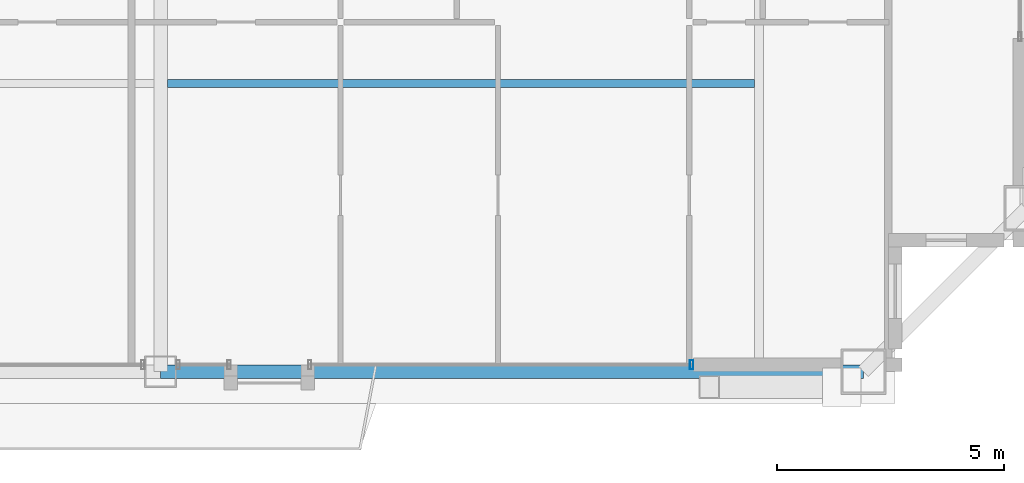
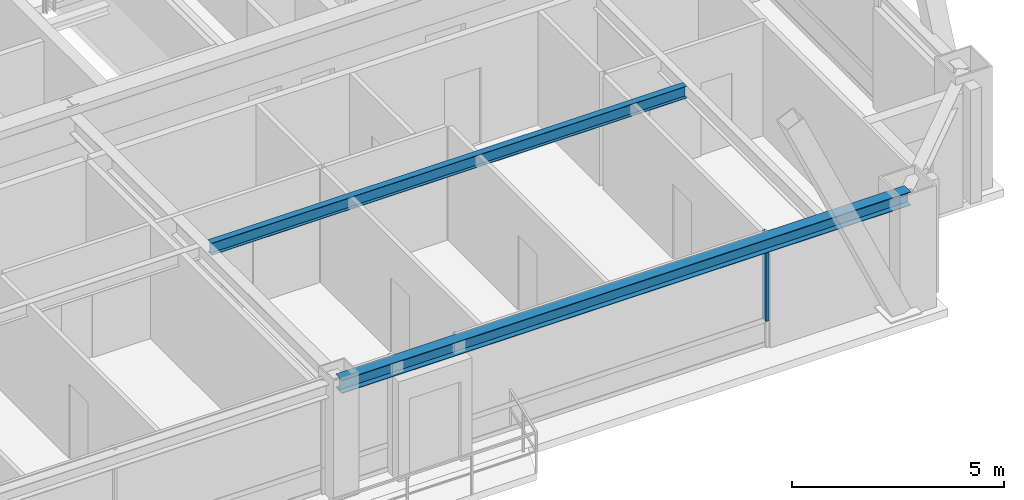
# One storey, part 9 of 35: 2 beams, 1 member, 1 element without a shape of its own.
"""IFC4 building model written with IfcOpenShell, lengths in metres."""

from ifc_helpers import new_model, si_unit, direction, frame, origin, origin_2d, place, context, subcontext, project, spatial, hollow_rectangle, i_section, extrude, source, transform, mapped, material, layer, layer_set, material_profile, profile_set, type_object, element, aggregate, save


model = new_model("IFC4")

# Units and contexts
model_context = context("Model", 3, precision=1e-05, world=origin(), true_north=direction((0.0, 1.0)))
body_context = subcontext(model_context, "Body", "Model", "MODEL_VIEW")
ifc_project = project(units=[si_unit("LENGTHUNIT", "METRE"), si_unit("AREAUNIT", "SQUARE_METRE"), si_unit("VOLUMEUNIT", "CUBIC_METRE"), si_unit("PLANEANGLEUNIT", "RADIAN"), si_unit("MASSUNIT", "GRAM", prefix="KILO"), si_unit("THERMODYNAMICTEMPERATUREUNIT", "KELVIN"), si_unit("POWERUNIT", "WATT")], contexts=[model_context])

# Site, building, storey
site_placement = place(None, origin())
site = spatial("IfcSite", under=ifc_project, at=site_placement, CompositionType="ELEMENT")
building_placement = place(site_placement, origin())
building = spatial("IfcBuilding", under=site, at=building_placement, Name="Yuzanri Waterfront Tower", CompositionType="ELEMENT")
storey_placement = place(building_placement, frame((0.0, 0.0, 299.60009765625)))
storey = spatial("IfcBuildingStorey", under=building, at=storey_placement, Name="L80", CompositionType="ELEMENT", Elevation=299.60009765625)

# Beams
ifc_material_1 = material(Name="Steel Q355B", Category="steel")
ifc_material_profile_1 = material_profile(ifc_material_1, i_section(OverallWidth=0.175048828125, OverallDepth=0.35009765625, WebThickness=0.007080078125, FlangeThickness=0.010986328125, at=origin_2d()), Name="HN 350x175x7x11")
ifc_profile_set_1 = profile_set([ifc_material_profile_1], Name="Steel Q355B")
beam_type_1 = type_object("IfcBeamType", Name="Floor Joist Q355B HN 350x175", PredefinedType="JOIST", material=ifc_profile_set_1)
shared_shape_1 = source(origin(), body_context, "Body", "SweptSolid", [
    extrude(i_section(OverallWidth=0.175048828125, OverallDepth=0.35009765625, WebThickness=0.007080078125, FlangeThickness=0.010986328125, at=origin_2d()), origin(), (0.0, 0.0, 1.0), 12.9501953125),
])
beam_1_placement = place(storey_placement, frame((37.14990234375, 13.050048828125, 3.10498046875), z_axis=(1.0, 0.0, 0.0), x_axis=(0.0, 1.0, 0.0)))
element("IfcBeam", 1, at=beam_1_placement, inside=storey, type_object=beam_type_1, Name="L80 South Bay Joist E", PredefinedType="JOIST", context=body_context, shape_type="MappedRepresentation", body=[
    mapped(shared_shape_1, transform((0.0, 0.0, 0.0), scale=1.0)),
])
ifc_material_2 = material(Name="Steel Q355B", Category="steel")
ifc_material_profile_2 = material_profile(ifc_material_2, i_section(OverallWidth=0.300048828125, OverallDepth=0.389892578125, WebThickness=0.010009765625, FlangeThickness=0.01611328125, at=origin_2d()), Name="HM 390x300x10x16")
ifc_profile_set_2 = profile_set([ifc_material_profile_2], Name="Steel Q355B")
beam_type_2 = type_object("IfcBeamType", Name="Perimeter Spandrel Q355B HM 390x300", PredefinedType="SPANDREL", material=ifc_profile_set_2)
shared_shape_2 = source(origin(), body_context, "Body", "SweptSolid", [
    extrude(i_section(OverallWidth=0.300048828125, OverallDepth=0.389892578125, WebThickness=0.010009765625, FlangeThickness=0.01611328125, at=origin_2d()), origin(), (0.0, 0.0, 1.0), 15.5),
])
beam_2_placement = place(storey_placement, frame((37.0, 6.699951171875, 3.0849609375), z_axis=(1.0, 0.0, 0.0), x_axis=(0.0, 1.0, 0.0)))
element("IfcBeam", 2, at=beam_2_placement, inside=storey, type_object=beam_type_2, Name="L80 Perimeter Spandrel S2-S3", PredefinedType="SPANDREL", context=body_context, shape_type="MappedRepresentation", body=[
    mapped(shared_shape_2, transform((0.0, 0.0, 0.0), scale=1.0)),
])

# Curtain wall, member
ifc_material_3 = material(Name="Anodized Architectural Bronze", Category="metal")
ifc_layer = layer(ifc_material_3, 0.159912109375)
ifc_layer_set = layer_set([ifc_layer], Name="Anodized Architectural Bronze")
curtain_wall_type = type_object("IfcCurtainWallType", Name="Anodized Bronze High-Rise Penthouse High-Wind Unitized Curtain Wall 6900", PredefinedType="NOTDEFINED", material=ifc_layer_set)
curtain_wall_placement = place(storey_placement, origin())
curtain_wall = element("IfcCurtainWall", 3, at=curtain_wall_placement, inside=storey, type_object=curtain_wall_type, Name="L80 Curtain Wall CW-L80-SR2", PredefinedType="NOTDEFINED")
ifc_material_4 = material(Name="Anodized Architectural Bronze", Category="metal")
ifc_material_profile_3 = material_profile(ifc_material_4, hollow_rectangle(XDim=0.074951171875, YDim=0.199951171875, WallThickness=0.00390625, at=origin_2d()), Name="CWM 75x200")
ifc_profile_set_3 = profile_set([ifc_material_profile_3], Name="Anodized Architectural Bronze")
member_type = type_object("IfcMemberType", Name="Anodized Bronze Primary Curtain-Wall Mullion 75x200", PredefinedType="MULLION", material=ifc_profile_set_3)
shared_shape_3 = source(origin(), body_context, "Body", "SweptSolid", [
    extrude(hollow_rectangle(XDim=0.074951171875, YDim=0.199951171875, WallThickness=0.00390625, at=origin_2d()), origin(), (0.0, 0.0, 1.0), 2.52392578125),
])
member_placement = place(storey_placement, frame((48.7099609375, 6.85009765625, 0.755859375), z_axis=(0.0, 0.0, 1.0), x_axis=(1.0, 0.0, 0.0)))
member = element("IfcMember", 4, at=member_placement, type_object=member_type, Name="CW-L80-SR2 Upper Mullion 01", PredefinedType="MULLION", context=body_context, shape_type="MappedRepresentation", body=[
    mapped(shared_shape_3, transform((0.0, 0.0, 0.0), scale=1.0)),
])
aggregate(curtain_wall, [member])

save(model, "model.ifc")
